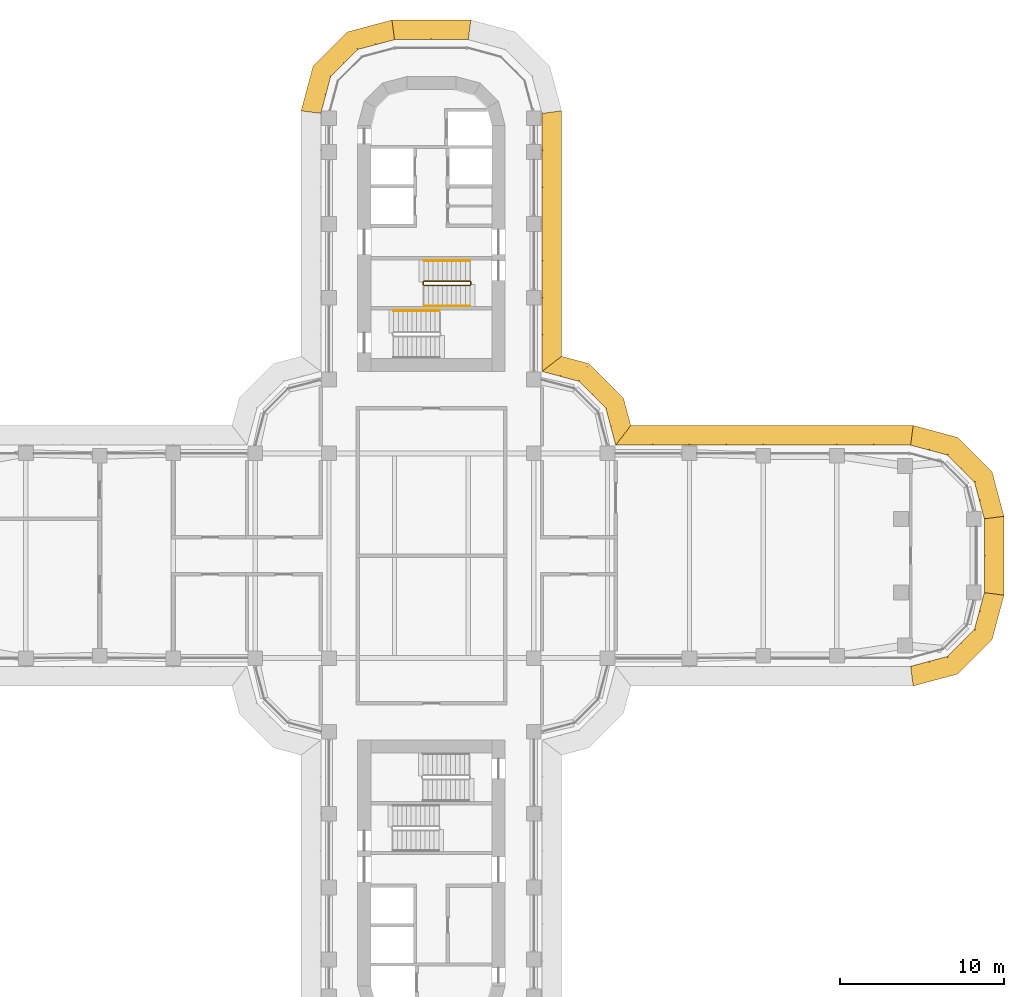
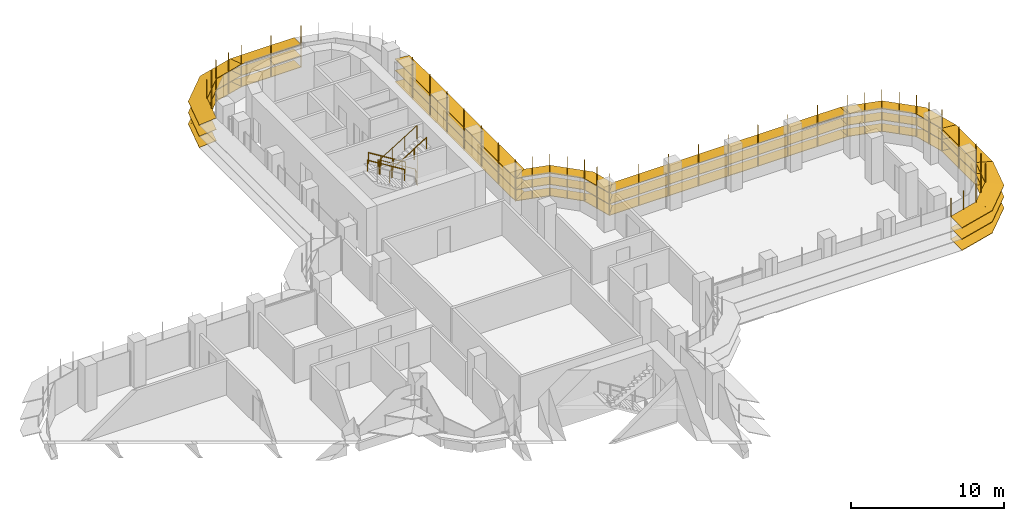
# One storey, part 20 of 21: 8 shading devices, 4 railings.
"""IFC4 building model written with IfcOpenShell, lengths in metres."""

from ifc_helpers import new_model, si_unit, direction, frame, origin, origin_2d, place, context, subcontext, project, spatial, polyline, circle, outline, extrude, faceted_brep, source, transform, mapped, material, type_object, element, save


model = new_model("IFC4")

# Units and contexts
model_context = context("Model", 3, precision=1e-05, world=origin(), true_north=direction((0.0, 1.0)))
body_context = subcontext(model_context, "Body", "Model", "MODEL_VIEW")
ifc_project = project(units=[si_unit("LENGTHUNIT", "METRE"), si_unit("AREAUNIT", "SQUARE_METRE"), si_unit("VOLUMEUNIT", "CUBIC_METRE"), si_unit("PLANEANGLEUNIT", "RADIAN"), si_unit("MASSUNIT", "GRAM", prefix="KILO")], contexts=[model_context])

# Site, building, storey
site_placement = place(None, origin())
site = spatial("IfcSite", under=ifc_project, at=site_placement, CompositionType="ELEMENT")
building_placement = place(site_placement, origin())
building = spatial("IfcBuilding", under=site, at=building_placement, Name="Zarbagh Exchange Tower", CompositionType="ELEMENT")
storey_placement = place(building_placement, frame((0.0, 0.0, 120.800048828125)))
storey = spatial("IfcBuildingStorey", under=building, at=storey_placement, Name="L28", CompositionType="ELEMENT", Elevation=120.800048828125)

# Railings
ifc_material_1 = material(Name="Stainless steel", Category="steel")
railing_type_1 = type_object("IfcRailingType", Name="Stair guard 1100 mm", PredefinedType="GUARDRAIL", material=ifc_material_1)
railing_1_placement = place(storey_placement, frame((-0.449951171875, 16.5, 2.07275390625)))
element("IfcRailing", 1, at=railing_1_placement, inside=storey, type_object=railing_type_1, Name="ST1 stair guard 1", PredefinedType="GUARDRAIL", context=body_context, shape_type="SweptSolid", body=[
    extrude(circle(Radius=0.02392578125, at=origin_2d()), frame((0.0, 0.0, 1.076171875), z_axis=(0.851089632645, 0.0, 0.525020415988), x_axis=(0.0, 1.0, 0.0)), (0.0, 0.0, 1.0), 3.2900390625),
    extrude(circle(Radius=0.02392578125, at=origin_2d()), frame((2.800048828125, 0.0, 2.80322265625), z_axis=(0.013104066473, 0.013168302093, -0.99982742474), x_axis=(-0.708833529934, 0.705375805398, 0.0)), (0.0, 0.0, 1.0), 3.80078125),
    extrude(circle(Radius=0.02392578125, at=origin_2d()), frame((2.849853515625, 0.050048828125, -0.99658203125), z_axis=(0.0, 1.0, 0.0), x_axis=(-1.0, 0.0, 0.0)), (0.0, 0.0, 1.0), 0.14990234375),
    extrude(circle(Radius=0.02392578125, at=origin_2d()), frame((2.849853515625, 0.199951171875, -0.99658203125), z_axis=(-0.267062837333, 0.268371968888, 0.925556009775), x_axis=(-0.708833529934, -0.705375805398, 0.0)), (0.0, 0.0, 1.0), 0.1865234375),
    extrude(circle(Radius=0.02392578125, at=origin_2d()), frame((2.800048828125, 0.25, -0.82421875), z_axis=(-0.851089632645, 0.0, 0.525020415988), x_axis=(0.0, -1.0, 0.0)), (0.0, 0.0, 1.0), 3.2900390625),
    extrude(circle(Radius=0.02392578125, at=origin_2d()), frame((0.0, 0.25, 0.9033203125), z_axis=(-0.707106781187, -0.707106781187, 0.0), x_axis=(0.707106781187, -0.707106781187, 0.0)), (0.0, 0.0, 1.0), 0.07080078125),
    extrude(circle(Radius=0.02392578125, at=origin_2d()), frame((-0.050048828125, 0.199951171875, 0.9033203125), z_axis=(0.0, -1.0, 0.0), x_axis=(1.0, 0.0, 0.0)), (0.0, 0.0, 1.0), 0.14990234375),
    extrude(circle(Radius=0.02099609375, at=origin_2d()), origin(), (0.0, 0.0, 1.0), 1.052001953125),
    extrude(circle(Radius=0.02099609375, at=origin_2d()), frame((0.933349609375, 0.0, 0.57568359375)), (0.0, 0.0, 1.0), 1.052001953125),
    extrude(circle(Radius=0.02099609375, at=origin_2d()), frame((1.86669921875, 0.0, 1.151611328125)), (0.0, 0.0, 1.0), 1.052001953125),
    extrude(circle(Radius=0.02099609375, at=origin_2d()), frame((2.800048828125, 0.0, 1.727294921875)), (0.0, 0.0, 1.0), 1.052001953125),
    extrude(circle(Radius=0.02099609375, at=origin_2d()), frame((2.8125, 0.012451171875, 0.77734375)), (0.0, 0.0, 1.0), 1.052001953125),
    extrude(circle(Radius=0.02099609375, at=origin_2d()), frame((2.824951171875, 0.02490234375, -0.1728515625)), (0.0, 0.0, 1.0), 1.052001953125),
    extrude(circle(Radius=0.02099609375, at=origin_2d()), frame((2.83740234375, 0.03759765625, -1.122802734375)), (0.0, 0.0, 1.0), 1.052001953125),
    extrude(circle(Radius=0.02099609375, at=origin_2d()), frame((2.849853515625, 0.050048828125, -2.07275390625)), (0.0, 0.0, 1.0), 1.052001953125),
    extrude(circle(Radius=0.02099609375, at=origin_2d()), frame((2.849853515625, 0.199951171875, -2.07275390625)), (0.0, 0.0, 1.0), 1.052001953125),
    extrude(circle(Radius=0.02099609375, at=origin_2d()), frame((2.800048828125, 0.25, -1.900146484375)), (0.0, 0.0, 1.0), 1.052001953125),
    extrude(circle(Radius=0.02099609375, at=origin_2d()), frame((1.86669921875, 0.25, -1.324462890625)), (0.0, 0.0, 1.0), 1.052001953125),
    extrude(circle(Radius=0.02099609375, at=origin_2d()), frame((0.933349609375, 0.25, -0.74853515625)), (0.0, 0.0, 1.0), 1.052001953125),
    extrude(circle(Radius=0.02099609375, at=origin_2d()), frame((0.0, 0.25, -0.1728515625)), (0.0, 0.0, 1.0), 1.052001953125),
    extrude(circle(Radius=0.02099609375, at=origin_2d()), frame((-0.050048828125, 0.199951171875, -0.1728515625)), (0.0, 0.0, 1.0), 1.052001953125),
    extrude(circle(Radius=0.02099609375, at=origin_2d()), frame((-0.050048828125, 0.050048828125, -0.1728515625)), (0.0, 0.0, 1.0), 1.052001953125),
])
railing_type_2 = type_object("IfcRailingType", Name="Stair handrail 900 mm", PredefinedType="HANDRAIL", material=ifc_material_1)
railing_2_placement = place(storey_placement, frame((2.35009765625, 18.0, 0.172607421875)))
element("IfcRailing", 2, at=railing_2_placement, inside=storey, type_object=railing_type_2, Name="ST1 stair handrail 1", PredefinedType="HANDRAIL", context=body_context, shape_type="SweptSolid", body=[
    extrude(circle(Radius=0.02392578125, at=origin_2d()), frame((0.0, 0.0, 0.8759765625), z_axis=(-0.851089632645, 0.0, 0.525020415988), x_axis=(0.0, -1.0, 0.0)), (0.0, 0.0, 1.0), 3.2900390625),
    extrude(circle(Radius=0.02099609375, at=origin_2d()), origin(), (0.0, 0.0, 1.0), 0.851806640625),
    extrude(circle(Radius=0.02099609375, at=origin_2d()), frame((-0.933349609375, 0.0, 0.57568359375)), (0.0, 0.0, 1.0), 0.851806640625),
    extrude(circle(Radius=0.02099609375, at=origin_2d()), frame((-1.86669921875, 0.0, 1.151611328125)), (0.0, 0.0, 1.0), 0.851806640625),
    extrude(circle(Radius=0.02099609375, at=origin_2d()), frame((-2.800048828125, 0.0, 1.727294921875)), (0.0, 0.0, 1.0), 0.851806640625),
])
railing_3_placement = place(storey_placement, frame((-0.449951171875, 15.25, 2.07275390625)))
element("IfcRailing", 3, at=railing_3_placement, inside=storey, type_object=railing_type_2, Name="ST1 stair handrail 2", PredefinedType="HANDRAIL", context=body_context, shape_type="SweptSolid", body=[
    extrude(circle(Radius=0.02392578125, at=origin_2d()), frame((0.0, 0.0, 0.8759765625), z_axis=(0.851089632645, 0.0, 0.525020415988), x_axis=(0.0, 1.0, 0.0)), (0.0, 0.0, 1.0), 3.2900390625),
    extrude(circle(Radius=0.02099609375, at=origin_2d()), origin(), (0.0, 0.0, 1.0), 0.851806640625),
    extrude(circle(Radius=0.02099609375, at=origin_2d()), frame((0.933349609375, 0.0, 0.57568359375)), (0.0, 0.0, 1.0), 0.851806640625),
    extrude(circle(Radius=0.02099609375, at=origin_2d()), frame((1.86669921875, 0.0, 1.151611328125)), (0.0, 0.0, 1.0), 0.851806640625),
    extrude(circle(Radius=0.02099609375, at=origin_2d()), frame((2.800048828125, 0.0, 1.727294921875)), (0.0, 0.0, 1.0), 0.851806640625),
])
railing_4_placement = place(storey_placement, frame((0.5, 14.949951171875, 2.07275390625)))
element("IfcRailing", 4, at=railing_4_placement, inside=storey, type_object=railing_type_2, Name="ST2 stair handrail 2", PredefinedType="HANDRAIL", context=body_context, shape_type="SweptSolid", body=[
    extrude(circle(Radius=0.02392578125, at=origin_2d()), frame((0.0, 0.0, 0.8759765625), z_axis=(-0.851089632645, 0.0, 0.525020415988), x_axis=(0.0, -1.0, 0.0)), (0.0, 0.0, 1.0), 3.2900390625),
    extrude(circle(Radius=0.02099609375, at=origin_2d()), origin(), (0.0, 0.0, 1.0), 0.851806640625),
    extrude(circle(Radius=0.02099609375, at=origin_2d()), frame((-0.933349609375, 0.0, 0.57568359375)), (0.0, 0.0, 1.0), 0.851806640625),
    extrude(circle(Radius=0.02099609375, at=origin_2d()), frame((-1.86669921875, 0.0, 1.151611328125)), (0.0, 0.0, 1.0), 0.851806640625),
    extrude(circle(Radius=0.02099609375, at=origin_2d()), frame((-2.800048828125, 0.0, 1.727294921875)), (0.0, 0.0, 1.0), 0.851806640625),
])

# Shading devices
ifc_material_2 = material(Name="Anodised aluminium blades and brackets", Category="aluminium")
shading_device_type = type_object("IfcShadingDeviceType", Name="SUNSHADE louvre band, 11.25 degree blades", PredefinedType="JALOUSIE", material=ifc_material_2)
shared_shape_1 = source(origin(), body_context, "Body", "Brep", [
    faceted_brep([(0.0, 0.0, 0.0), (0.0, 0.0, -0.040771484375), (-0.157958984375, -1.199951171875, -0.279541015625), (-0.157958984375, -1.199951171875, -0.23876953125), (2.65087890625, -1.199951171875, -0.23876953125), (2.65087890625, -1.199951171875, -0.279541015625), (2.329345703125, 0.0, -0.040771484375), (2.329345703125, 0.0, 0.0)], [[[0, 1, 2, 3]], [[4, 5, 6, 7]], [[0, 7, 6, 1]], [[1, 6, 5, 2]], [[2, 5, 4, 3]], [[3, 4, 7, 0]]]),
])
shared_shape_2 = source(origin(), body_context, "Body", "Brep", [
    faceted_brep([(0.0, 0.0, 0.0), (0.0, 0.0, -0.040771484375), (-0.321533203125, -1.199951171875, -0.279541015625), (-0.321533203125, -1.199951171875, -0.23876953125), (2.65087890625, -1.199951171875, -0.23876953125), (2.65087890625, -1.199951171875, -0.279541015625), (2.329345703125, 0.0, -0.040771484375), (2.329345703125, 0.0, 0.0)], [[[0, 1, 2, 3]], [[4, 5, 6, 7]], [[0, 7, 6, 1]], [[1, 6, 5, 2]], [[2, 5, 4, 3]], [[3, 4, 7, 0]]]),
])
shared_shape_3 = source(origin(), body_context, "Body", "Brep", [
    faceted_brep([(0.0, 0.0, 0.0), (0.0, 0.0, -0.040771484375), (-0.321533203125, -1.199951171875, -0.279541015625), (-0.321533203125, -1.199951171875, -0.23876953125), (2.4873046875, -1.199951171875, -0.23876953125), (2.4873046875, -1.199951171875, -0.279541015625), (2.329345703125, 0.0, -0.040771484375), (2.329345703125, 0.0, 0.0)], [[[0, 1, 2, 3]], [[4, 5, 6, 7]], [[0, 7, 6, 1]], [[1, 6, 5, 2]], [[2, 5, 4, 3]], [[3, 4, 7, 0]]]),
])
shared_shape_4 = source(origin(), body_context, "Body", "SweptSolid", [
    extrude(outline(polyline([(0.0, -0.012451171875), (0.06005859375, -0.012451171875), (0.06005859375, 0.012451171875), (0.0, 0.012451171875), (0.0, -0.012451171875)])), origin(), (0.0, 0.0, 1.0), 3.350830078125),
])
placement = place(storey_placement, origin())
element("IfcShadingDevice", 5, at=placement, inside=storey, type_object=shading_device_type, Name="SS05 sunshade band", PredefinedType="JALOUSIE", context=body_context, shape_type="MappedRepresentation", body=[
    mapped(shared_shape_1, transform((29.25, -6.75, 2.300048828125), x_axis=(0.965924289636, 0.258824779902, 0.0), y_axis=(-0.258824779902, 0.965924289636, 0.0), z_axis=(0.0, 0.0, 1.0))),
    mapped(shared_shape_1, transform((29.25, -6.75, 1.39990234375), x_axis=(0.965924289636, 0.258824779902, 0.0), y_axis=(-0.258824779902, 0.965924289636, 0.0), z_axis=(0.0, 0.0, 1.0))),
    mapped(shared_shape_1, transform((29.25, -6.75, 0.5), x_axis=(0.965924289636, 0.258824779902, 0.0), y_axis=(-0.258824779902, 0.965924289636, 0.0), z_axis=(0.0, 0.0, 1.0))),
    mapped(shared_shape_2, transform((31.5, -6.147216796875, 2.300048828125), x_axis=(0.707106781187, 0.707106781187, 0.0), y_axis=(-0.707106781187, 0.707106781187, 0.0), z_axis=(0.0, 0.0, 1.0))),
    mapped(shared_shape_2, transform((31.5, -6.147216796875, 1.39990234375), x_axis=(0.707106781187, 0.707106781187, 0.0), y_axis=(-0.707106781187, 0.707106781187, 0.0), z_axis=(0.0, 0.0, 1.0))),
    mapped(shared_shape_2, transform((31.5, -6.147216796875, 0.5), x_axis=(0.707106781187, 0.707106781187, 0.0), y_axis=(-0.707106781187, 0.707106781187, 0.0), z_axis=(0.0, 0.0, 1.0))),
    mapped(shared_shape_3, transform((33.147216796875, -4.5, 2.300048828125), x_axis=(0.258824779902, 0.965924289636, 0.0), y_axis=(-0.965924289636, 0.258824779902, 0.0), z_axis=(0.0, 0.0, 1.0))),
    mapped(shared_shape_3, transform((33.147216796875, -4.5, 1.39990234375), x_axis=(0.258824779902, 0.965924289636, 0.0), y_axis=(-0.965924289636, 0.258824779902, 0.0), z_axis=(0.0, 0.0, 1.0))),
    mapped(shared_shape_3, transform((33.147216796875, -4.5, 0.5), x_axis=(0.258824779902, 0.965924289636, 0.0), y_axis=(-0.965924289636, 0.258824779902, 0.0), z_axis=(0.0, 0.0, 1.0))),
    mapped(shared_shape_4, transform((29.25, -6.75, 0.42919921875), x_axis=(0.130529263012, -0.991444457092, 0.0), y_axis=(0.991444457092, 0.130529263012, 0.0), z_axis=(0.0, 0.0, 1.0))),
    mapped(shared_shape_4, transform((30.375, -6.448486328125, 0.42919921875), x_axis=(0.258825058029, -0.96592421511, 0.0), y_axis=(0.96592421511, 0.258825058029, 0.0), z_axis=(0.0, 0.0, 1.0))),
    mapped(shared_shape_4, transform((31.5, -6.147216796875, 0.42919921875), x_axis=(0.50000275701, -0.866023812018, 0.0), y_axis=(0.866023812018, 0.50000275701, 0.0), z_axis=(0.0, 0.0, 1.0))),
    mapped(shared_shape_4, transform((32.323486328125, -5.323486328125, 0.42919921875), x_axis=(0.707106781187, -0.707106781187, 0.0), y_axis=(0.707106781187, 0.707106781187, 0.0), z_axis=(0.0, 0.0, 1.0))),
    mapped(shared_shape_4, transform((33.147216796875, -4.5, 0.42919921875), x_axis=(0.866023812018, -0.50000275701, 0.0), y_axis=(0.50000275701, 0.866023812018, 0.0), z_axis=(0.0, 0.0, 1.0))),
    mapped(shared_shape_4, transform((33.448486328125, -3.375, 0.42919921875), x_axis=(0.96592421511, -0.258825058029, 0.0), y_axis=(0.258825058029, 0.96592421511, 0.0), z_axis=(0.0, 0.0, 1.0))),
])
element("IfcShadingDevice", 6, at=placement, inside=storey, type_object=shading_device_type, Name="SS07 sunshade band", PredefinedType="JALOUSIE", context=body_context, shape_type="MappedRepresentation", body=[
    mapped(shared_shape_1, transform((33.75, 2.25, 2.300048828125), x_axis=(-0.258824779902, 0.965924289636, 0.0), y_axis=(-0.965924289636, -0.258824779902, 0.0), z_axis=(0.0, 0.0, 1.0))),
    mapped(shared_shape_1, transform((33.75, 2.25, 1.39990234375), x_axis=(-0.258824779902, 0.965924289636, 0.0), y_axis=(-0.965924289636, -0.258824779902, 0.0), z_axis=(0.0, 0.0, 1.0))),
    mapped(shared_shape_1, transform((33.75, 2.25, 0.5), x_axis=(-0.258824779902, 0.965924289636, 0.0), y_axis=(-0.965924289636, -0.258824779902, 0.0), z_axis=(0.0, 0.0, 1.0))),
    mapped(shared_shape_2, transform((33.147216796875, 4.5, 2.300048828125), x_axis=(-0.707106781187, 0.707106781187, 0.0), y_axis=(-0.707106781187, -0.707106781187, 0.0), z_axis=(0.0, 0.0, 1.0))),
    mapped(shared_shape_2, transform((33.147216796875, 4.5, 1.39990234375), x_axis=(-0.707106781187, 0.707106781187, 0.0), y_axis=(-0.707106781187, -0.707106781187, 0.0), z_axis=(0.0, 0.0, 1.0))),
    mapped(shared_shape_2, transform((33.147216796875, 4.5, 0.5), x_axis=(-0.707106781187, 0.707106781187, 0.0), y_axis=(-0.707106781187, -0.707106781187, 0.0), z_axis=(0.0, 0.0, 1.0))),
    mapped(shared_shape_3, transform((31.5, 6.147216796875, 2.300048828125), x_axis=(-0.965924289636, 0.258824779902, 0.0), y_axis=(-0.258824779902, -0.965924289636, 0.0), z_axis=(0.0, 0.0, 1.0))),
    mapped(shared_shape_3, transform((31.5, 6.147216796875, 1.39990234375), x_axis=(-0.965924289636, 0.258824779902, 0.0), y_axis=(-0.258824779902, -0.965924289636, 0.0), z_axis=(0.0, 0.0, 1.0))),
    mapped(shared_shape_3, transform((31.5, 6.147216796875, 0.5), x_axis=(-0.965924289636, 0.258824779902, 0.0), y_axis=(-0.258824779902, -0.965924289636, 0.0), z_axis=(0.0, 0.0, 1.0))),
    mapped(shared_shape_4, transform((33.75, 2.25, 0.42919921875), x_axis=(0.991444457092, 0.130529263012, 0.0), y_axis=(-0.130529263012, 0.991444457092, 0.0), z_axis=(0.0, 0.0, 1.0))),
    mapped(shared_shape_4, transform((33.448486328125, 3.375, 0.42919921875), x_axis=(0.96592421511, 0.258825058029, 0.0), y_axis=(-0.258825058029, 0.96592421511, 0.0), z_axis=(0.0, 0.0, 1.0))),
    mapped(shared_shape_4, transform((33.147216796875, 4.5, 0.42919921875), x_axis=(0.866023812018, 0.50000275701, 0.0), y_axis=(-0.50000275701, 0.866023812018, 0.0), z_axis=(0.0, 0.0, 1.0))),
    mapped(shared_shape_4, transform((32.323486328125, 5.323486328125, 0.42919921875), x_axis=(0.707106781187, 0.707106781187, 0.0), y_axis=(-0.707106781187, 0.707106781187, 0.0), z_axis=(0.0, 0.0, 1.0))),
    mapped(shared_shape_4, transform((31.5, 6.147216796875, 0.42919921875), x_axis=(0.50000275701, 0.866023812018, 0.0), y_axis=(-0.866023812018, 0.50000275701, 0.0), z_axis=(0.0, 0.0, 1.0))),
    mapped(shared_shape_4, transform((30.375, 6.448486328125, 0.42919921875), x_axis=(0.258825058029, 0.96592421511, 0.0), y_axis=(-0.96592421511, 0.258825058029, 0.0), z_axis=(0.0, 0.0, 1.0))),
])
element("IfcShadingDevice", 7, at=placement, inside=storey, type_object=shading_device_type, Name="SS28 sunshade band", PredefinedType="JALOUSIE", context=body_context, shape_type="MappedRepresentation", body=[
    mapped(shared_shape_1, transform((-2.25, 31.5, 2.300048828125), x_axis=(-0.965924289636, -0.258824779902, 0.0), y_axis=(0.258824779902, -0.965924289636, 0.0), z_axis=(0.0, 0.0, 1.0))),
    mapped(shared_shape_1, transform((-2.25, 31.5, 1.39990234375), x_axis=(-0.965924289636, -0.258824779902, 0.0), y_axis=(0.258824779902, -0.965924289636, 0.0), z_axis=(0.0, 0.0, 1.0))),
    mapped(shared_shape_1, transform((-2.25, 31.5, 0.5), x_axis=(-0.965924289636, -0.258824779902, 0.0), y_axis=(0.258824779902, -0.965924289636, 0.0), z_axis=(0.0, 0.0, 1.0))),
    mapped(shared_shape_2, transform((-4.5, 30.897216796875, 2.300048828125), x_axis=(-0.707106781187, -0.707106781187, 0.0), y_axis=(0.707106781187, -0.707106781187, 0.0), z_axis=(0.0, 0.0, 1.0))),
    mapped(shared_shape_2, transform((-4.5, 30.897216796875, 1.39990234375), x_axis=(-0.707106781187, -0.707106781187, 0.0), y_axis=(0.707106781187, -0.707106781187, 0.0), z_axis=(0.0, 0.0, 1.0))),
    mapped(shared_shape_2, transform((-4.5, 30.897216796875, 0.5), x_axis=(-0.707106781187, -0.707106781187, 0.0), y_axis=(0.707106781187, -0.707106781187, 0.0), z_axis=(0.0, 0.0, 1.0))),
    mapped(shared_shape_3, transform((-6.147216796875, 29.25, 2.300048828125), x_axis=(-0.258824779902, -0.965924289636, 0.0), y_axis=(0.965924289636, -0.258824779902, 0.0), z_axis=(0.0, 0.0, 1.0))),
    mapped(shared_shape_3, transform((-6.147216796875, 29.25, 1.39990234375), x_axis=(-0.258824779902, -0.965924289636, 0.0), y_axis=(0.965924289636, -0.258824779902, 0.0), z_axis=(0.0, 0.0, 1.0))),
    mapped(shared_shape_3, transform((-6.147216796875, 29.25, 0.5), x_axis=(-0.258824779902, -0.965924289636, 0.0), y_axis=(0.965924289636, -0.258824779902, 0.0), z_axis=(0.0, 0.0, 1.0))),
    mapped(shared_shape_4, transform((-2.25, 31.5, 0.42919921875), x_axis=(-0.130529263012, 0.991444457092, 0.0), y_axis=(-0.991444457092, -0.130529263012, 0.0), z_axis=(0.0, 0.0, 1.0))),
    mapped(shared_shape_4, transform((-3.375, 31.198486328125, 0.42919921875), x_axis=(-0.258825058029, 0.96592421511, 0.0), y_axis=(-0.96592421511, -0.258825058029, 0.0), z_axis=(0.0, 0.0, 1.0))),
    mapped(shared_shape_4, transform((-4.5, 30.897216796875, 0.42919921875), x_axis=(-0.50000275701, 0.866023812018, 0.0), y_axis=(-0.866023812018, -0.50000275701, 0.0), z_axis=(0.0, 0.0, 1.0))),
    mapped(shared_shape_4, transform((-5.323486328125, 30.073486328125, 0.42919921875), x_axis=(-0.707106781187, 0.707106781187, 0.0), y_axis=(-0.707106781187, -0.707106781187, 0.0), z_axis=(0.0, 0.0, 1.0))),
    mapped(shared_shape_4, transform((-6.147216796875, 29.25, 0.42919921875), x_axis=(-0.866023812018, 0.50000275701, 0.0), y_axis=(-0.50000275701, -0.866023812018, 0.0), z_axis=(0.0, 0.0, 1.0))),
    mapped(shared_shape_4, transform((-6.448486328125, 28.125, 0.42919921875), x_axis=(-0.96592421511, 0.258825058029, 0.0), y_axis=(-0.258825058029, -0.96592421511, 0.0), z_axis=(0.0, 0.0, 1.0))),
])
shared_shape_5 = source(origin(), body_context, "Body", "Brep", [
    faceted_brep([(0.0, 0.0, 0.0), (0.0, 0.0, -0.040771484375), (0.9208984375, -1.199951171875, -0.279541015625), (0.9208984375, -1.199951171875, -0.23876953125), (2.65087890625, -1.199951171875, -0.23876953125), (2.65087890625, -1.199951171875, -0.279541015625), (2.329345703125, 0.0, -0.040771484375), (2.329345703125, 0.0, 0.0)], [[[0, 1, 2, 3]], [[4, 5, 6, 7]], [[0, 7, 6, 1]], [[1, 6, 5, 2]], [[2, 5, 4, 3]], [[3, 4, 7, 0]]]),
])
shared_shape_6 = source(origin(), body_context, "Body", "Brep", [
    faceted_brep([(0.0, 0.0, 0.0), (0.0, 0.0, -0.040771484375), (-0.321533203125, -1.199951171875, -0.279541015625), (-0.321533203125, -1.199951171875, -0.23876953125), (1.40869140625, -1.199951171875, -0.23876953125), (1.40869140625, -1.199951171875, -0.279541015625), (2.329345703125, 0.0, -0.040771484375), (2.329345703125, 0.0, 0.0)], [[[0, 1, 2, 3]], [[4, 5, 6, 7]], [[0, 7, 6, 1]], [[1, 6, 5, 2]], [[2, 5, 4, 3]], [[3, 4, 7, 0]]]),
])
element("IfcShadingDevice", 8, at=placement, inside=storey, type_object=shading_device_type, Name="SS09 sunshade band", PredefinedType="JALOUSIE", context=body_context, shape_type="MappedRepresentation", body=[
    mapped(shared_shape_5, transform((11.25, 6.75, 2.300048828125), x_axis=(-0.258824779902, 0.965924289636, 0.0), y_axis=(-0.965924289636, -0.258824779902, 0.0), z_axis=(0.0, 0.0, 1.0))),
    mapped(shared_shape_5, transform((11.25, 6.75, 1.39990234375), x_axis=(-0.258824779902, 0.965924289636, 0.0), y_axis=(-0.965924289636, -0.258824779902, 0.0), z_axis=(0.0, 0.0, 1.0))),
    mapped(shared_shape_5, transform((11.25, 6.75, 0.5), x_axis=(-0.258824779902, 0.965924289636, 0.0), y_axis=(-0.965924289636, -0.258824779902, 0.0), z_axis=(0.0, 0.0, 1.0))),
    mapped(shared_shape_2, transform((10.647216796875, 9.0, 2.300048828125), x_axis=(-0.707106781187, 0.707106781187, 0.0), y_axis=(-0.707106781187, -0.707106781187, 0.0), z_axis=(0.0, 0.0, 1.0))),
    mapped(shared_shape_2, transform((10.647216796875, 9.0, 1.39990234375), x_axis=(-0.707106781187, 0.707106781187, 0.0), y_axis=(-0.707106781187, -0.707106781187, 0.0), z_axis=(0.0, 0.0, 1.0))),
    mapped(shared_shape_2, transform((10.647216796875, 9.0, 0.5), x_axis=(-0.707106781187, 0.707106781187, 0.0), y_axis=(-0.707106781187, -0.707106781187, 0.0), z_axis=(0.0, 0.0, 1.0))),
    mapped(shared_shape_6, transform((9.0, 10.647216796875, 2.300048828125), x_axis=(-0.965924289636, 0.258824779902, 0.0), y_axis=(-0.258824779902, -0.965924289636, 0.0), z_axis=(0.0, 0.0, 1.0))),
    mapped(shared_shape_6, transform((9.0, 10.647216796875, 1.39990234375), x_axis=(-0.965924289636, 0.258824779902, 0.0), y_axis=(-0.258824779902, -0.965924289636, 0.0), z_axis=(0.0, 0.0, 1.0))),
    mapped(shared_shape_6, transform((9.0, 10.647216796875, 0.5), x_axis=(-0.965924289636, 0.258824779902, 0.0), y_axis=(-0.258824779902, -0.965924289636, 0.0), z_axis=(0.0, 0.0, 1.0))),
    mapped(shared_shape_4, transform((11.25, 6.75, 0.42919921875), x_axis=(0.608758892, 0.793355287, 0.0), y_axis=(-0.793355287, 0.608758892, 0.0), z_axis=(0.0, 0.0, 1.0))),
    mapped(shared_shape_4, transform((10.948486328125, 7.875, 0.42919921875), x_axis=(0.96592421511, 0.258825058029, 0.0), y_axis=(-0.258825058029, 0.96592421511, 0.0), z_axis=(0.0, 0.0, 1.0))),
    mapped(shared_shape_4, transform((10.647216796875, 9.0, 0.42919921875), x_axis=(0.866023812018, 0.50000275701, 0.0), y_axis=(-0.50000275701, 0.866023812018, 0.0), z_axis=(0.0, 0.0, 1.0))),
    mapped(shared_shape_4, transform((9.823486328125, 9.823486328125, 0.42919921875), x_axis=(0.707106781187, 0.707106781187, 0.0), y_axis=(-0.707106781187, 0.707106781187, 0.0), z_axis=(0.0, 0.0, 1.0))),
    mapped(shared_shape_4, transform((9.0, 10.647216796875, 0.42919921875), x_axis=(0.50000275701, 0.866023812018, 0.0), y_axis=(-0.866023812018, 0.50000275701, 0.0), z_axis=(0.0, 0.0, 1.0))),
    mapped(shared_shape_4, transform((7.875, 10.948486328125, 0.42919921875), x_axis=(0.258825058029, 0.96592421511, 0.0), y_axis=(-0.96592421511, 0.258825058029, 0.0), z_axis=(0.0, 0.0, 1.0))),
])
shared_shape_7 = source(origin(), body_context, "Body", "Brep", [
    faceted_brep([(0.0, 0.0, 0.0), (0.0, 0.0, -0.040771484375), (-0.157958984375, -1.199951171875, -0.279541015625), (-0.157958984375, -1.199951171875, -0.23876953125), (4.657958984375, -1.199951171875, -0.23876953125), (4.657958984375, -1.199951171875, -0.279541015625), (4.5, 0.0, -0.040771484375), (4.5, 0.0, 0.0)], [[[0, 1, 2, 3]], [[4, 5, 6, 7]], [[0, 7, 6, 1]], [[1, 6, 5, 2]], [[2, 5, 4, 3]], [[3, 4, 7, 0]]]),
])
element("IfcShadingDevice", 9, at=placement, inside=storey, type_object=shading_device_type, Name="SS06 sunshade band", PredefinedType="JALOUSIE", context=body_context, shape_type="MappedRepresentation", body=[
    mapped(shared_shape_7, transform((33.75, -2.25, 2.300048828125), x_axis=(0.0, 1.0, 0.0), y_axis=(-1.0, 0.0, 0.0), z_axis=(0.0, 0.0, 1.0))),
    mapped(shared_shape_7, transform((33.75, -2.25, 1.39990234375), x_axis=(0.0, 1.0, 0.0), y_axis=(-1.0, 0.0, 0.0), z_axis=(0.0, 0.0, 1.0))),
    mapped(shared_shape_7, transform((33.75, -2.25, 0.5), x_axis=(0.0, 1.0, 0.0), y_axis=(-1.0, 0.0, 0.0), z_axis=(0.0, 0.0, 1.0))),
    mapped(shared_shape_4, transform((33.75, -2.25, 0.42919921875), x_axis=(0.991444457092, -0.130529263012, 0.0), y_axis=(0.130529263012, 0.991444457092, 0.0), z_axis=(0.0, 0.0, 1.0))),
    mapped(shared_shape_4, transform((33.75, 0.0, 0.42919921875), x_axis=(1.0, 0.0, 0.0), y_axis=(0.0, 1.0, 0.0), z_axis=(0.0, 0.0, 1.0))),
])
shared_shape_8 = source(origin(), body_context, "Body", "Brep", [
    faceted_brep([(0.0, 0.0, 0.0), (0.0, 0.0, -0.040771484375), (-0.157958984375, -1.199951171875, -0.279541015625), (-0.157958984375, -1.199951171875, -0.23876953125), (17.0791015625, -1.199951171875, -0.23876953125), (17.0791015625, -1.199951171875, -0.279541015625), (18.0, 0.0, -0.040771484375), (18.0, 0.0, 0.0)], [[[0, 1, 2, 3]], [[4, 5, 6, 7]], [[0, 7, 6, 1]], [[1, 6, 5, 2]], [[2, 5, 4, 3]], [[3, 4, 7, 0]]]),
])
element("IfcShadingDevice", 10, at=placement, inside=storey, type_object=shading_device_type, Name="SS08 sunshade band", PredefinedType="JALOUSIE", context=body_context, shape_type="MappedRepresentation", body=[
    mapped(shared_shape_8, transform((29.25, 6.75, 2.300048828125), x_axis=(-1.0, 0.0, 0.0), y_axis=(0.0, -1.0, 0.0), z_axis=(0.0, 0.0, 1.0))),
    mapped(shared_shape_8, transform((29.25, 6.75, 1.39990234375), x_axis=(-1.0, 0.0, 0.0), y_axis=(0.0, -1.0, 0.0), z_axis=(0.0, 0.0, 1.0))),
    mapped(shared_shape_8, transform((29.25, 6.75, 0.5), x_axis=(-1.0, 0.0, 0.0), y_axis=(0.0, -1.0, 0.0), z_axis=(0.0, 0.0, 1.0))),
    mapped(shared_shape_4, transform((29.25, 6.75, 0.42919921875), x_axis=(0.130529263012, 0.991444457092, 0.0), y_axis=(-0.991444457092, 0.130529263012, 0.0), z_axis=(0.0, 0.0, 1.0))),
    mapped(shared_shape_4, transform((27.0, 6.75, 0.42919921875), x_axis=(0.0, 1.0, 0.0), y_axis=(-1.0, 0.0, 0.0), z_axis=(0.0, 0.0, 1.0))),
    mapped(shared_shape_4, transform((24.75, 6.75, 0.42919921875), x_axis=(0.0, 1.0, 0.0), y_axis=(-1.0, 0.0, 0.0), z_axis=(0.0, 0.0, 1.0))),
    mapped(shared_shape_4, transform((22.5, 6.75, 0.42919921875), x_axis=(0.0, 1.0, 0.0), y_axis=(-1.0, 0.0, 0.0), z_axis=(0.0, 0.0, 1.0))),
    mapped(shared_shape_4, transform((20.25, 6.75, 0.42919921875), x_axis=(0.0, 1.0, 0.0), y_axis=(-1.0, 0.0, 0.0), z_axis=(0.0, 0.0, 1.0))),
    mapped(shared_shape_4, transform((18.0, 6.75, 0.42919921875), x_axis=(0.0, 1.0, 0.0), y_axis=(-1.0, 0.0, 0.0), z_axis=(0.0, 0.0, 1.0))),
    mapped(shared_shape_4, transform((15.75, 6.75, 0.42919921875), x_axis=(0.0, 1.0, 0.0), y_axis=(-1.0, 0.0, 0.0), z_axis=(0.0, 0.0, 1.0))),
    mapped(shared_shape_4, transform((13.5, 6.75, 0.42919921875), x_axis=(0.0, 1.0, 0.0), y_axis=(-1.0, 0.0, 0.0), z_axis=(0.0, 0.0, 1.0))),
])
shared_shape_9 = source(origin(), body_context, "Body", "Brep", [
    faceted_brep([(0.0, 0.0, 0.0), (0.0, 0.0, -0.040771484375), (0.9208984375, -1.199951171875, -0.279541015625), (0.9208984375, -1.199951171875, -0.23876953125), (15.907958984375, -1.199951171875, -0.23876953125), (15.907958984375, -1.199951171875, -0.279541015625), (15.75, 0.0, -0.040771484375), (15.75, 0.0, 0.0)], [[[0, 1, 2, 3]], [[4, 5, 6, 7]], [[0, 7, 6, 1]], [[1, 6, 5, 2]], [[2, 5, 4, 3]], [[3, 4, 7, 0]]]),
])
element("IfcShadingDevice", 11, at=placement, inside=storey, type_object=shading_device_type, Name="SS25 sunshade band", PredefinedType="JALOUSIE", context=body_context, shape_type="MappedRepresentation", body=[
    mapped(shared_shape_9, transform((6.75, 11.25, 2.300048828125), x_axis=(0.0, 1.0, 0.0), y_axis=(-1.0, 0.0, 0.0), z_axis=(0.0, 0.0, 1.0))),
    mapped(shared_shape_9, transform((6.75, 11.25, 1.39990234375), x_axis=(0.0, 1.0, 0.0), y_axis=(-1.0, 0.0, 0.0), z_axis=(0.0, 0.0, 1.0))),
    mapped(shared_shape_9, transform((6.75, 11.25, 0.5), x_axis=(0.0, 1.0, 0.0), y_axis=(-1.0, 0.0, 0.0), z_axis=(0.0, 0.0, 1.0))),
    mapped(shared_shape_4, transform((6.75, 11.25, 0.42919921875), x_axis=(0.793355287, 0.608758892, 0.0), y_axis=(-0.608758892, 0.793355287, 0.0), z_axis=(0.0, 0.0, 1.0))),
    mapped(shared_shape_4, transform((6.75, 13.5, 0.42919921875), x_axis=(1.0, 0.0, 0.0), y_axis=(0.0, 1.0, 0.0), z_axis=(0.0, 0.0, 1.0))),
    mapped(shared_shape_4, transform((6.75, 15.75, 0.42919921875), x_axis=(1.0, 0.0, 0.0), y_axis=(0.0, 1.0, 0.0), z_axis=(0.0, 0.0, 1.0))),
    mapped(shared_shape_4, transform((6.75, 18.0, 0.42919921875), x_axis=(1.0, 0.0, 0.0), y_axis=(0.0, 1.0, 0.0), z_axis=(0.0, 0.0, 1.0))),
    mapped(shared_shape_4, transform((6.75, 20.25, 0.42919921875), x_axis=(1.0, 0.0, 0.0), y_axis=(0.0, 1.0, 0.0), z_axis=(0.0, 0.0, 1.0))),
    mapped(shared_shape_4, transform((6.75, 22.5, 0.42919921875), x_axis=(1.0, 0.0, 0.0), y_axis=(0.0, 1.0, 0.0), z_axis=(0.0, 0.0, 1.0))),
    mapped(shared_shape_4, transform((6.75, 24.75, 0.42919921875), x_axis=(1.0, 0.0, 0.0), y_axis=(0.0, 1.0, 0.0), z_axis=(0.0, 0.0, 1.0))),
])
element("IfcShadingDevice", 12, at=placement, inside=storey, type_object=shading_device_type, Name="SS27 sunshade band", PredefinedType="JALOUSIE", context=body_context, shape_type="MappedRepresentation", body=[
    mapped(shared_shape_7, transform((2.25, 31.5, 2.300048828125), x_axis=(-1.0, 0.0, 0.0), y_axis=(0.0, -1.0, 0.0), z_axis=(0.0, 0.0, 1.0))),
    mapped(shared_shape_7, transform((2.25, 31.5, 1.39990234375), x_axis=(-1.0, 0.0, 0.0), y_axis=(0.0, -1.0, 0.0), z_axis=(0.0, 0.0, 1.0))),
    mapped(shared_shape_7, transform((2.25, 31.5, 0.5), x_axis=(-1.0, 0.0, 0.0), y_axis=(0.0, -1.0, 0.0), z_axis=(0.0, 0.0, 1.0))),
    mapped(shared_shape_4, transform((2.25, 31.5, 0.42919921875), x_axis=(0.130529263012, 0.991444457092, 0.0), y_axis=(-0.991444457092, 0.130529263012, 0.0), z_axis=(0.0, 0.0, 1.0))),
    mapped(shared_shape_4, transform((0.0, 31.5, 0.42919921875), x_axis=(0.0, 1.0, 0.0), y_axis=(-1.0, 0.0, 0.0), z_axis=(0.0, 0.0, 1.0))),
])

save(model, "model.ifc")
